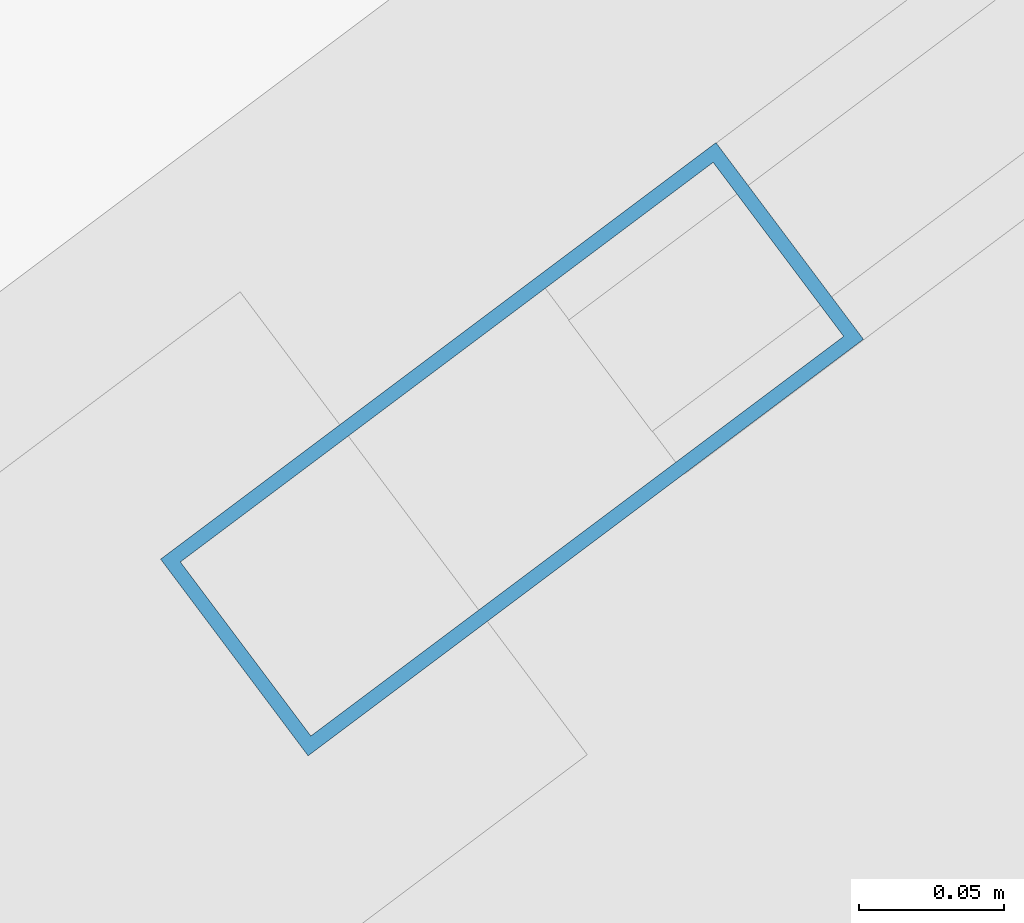
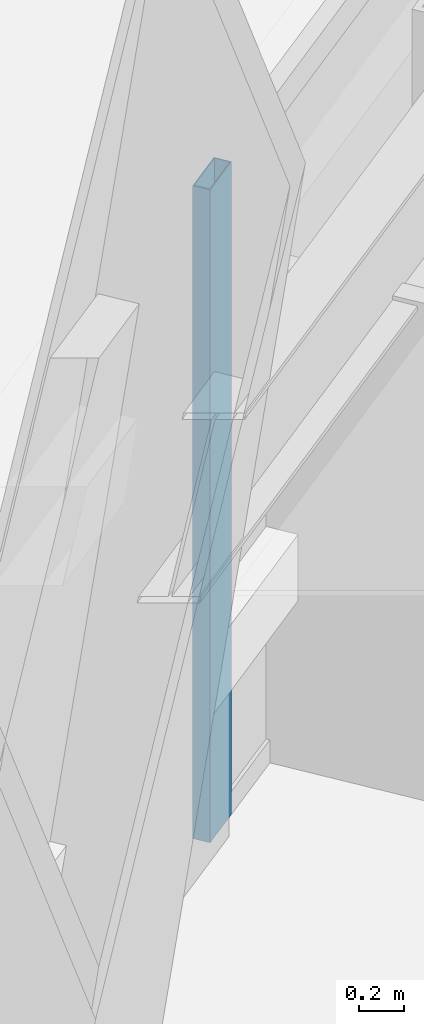
# One storey, part 53 of 83: 1 member, 1 element without a shape of its own.
"""IFC4 building model written with IfcOpenShell, lengths in metres."""

from ifc_helpers import new_model, si_unit, direction, frame, origin, origin_2d, place, context, subcontext, project, spatial, hollow_rectangle, extrude, material, material_profile, profile_set, type_object, element, aggregate, save


model = new_model("IFC4")

# Units and contexts
model_context = context("Model", 3, precision=1e-05, world=origin(), true_north=direction((0.0, 1.0)))
body_context = subcontext(model_context, "Body", "Model", "MODEL_VIEW")
ifc_project = project(units=[si_unit("LENGTHUNIT", "METRE"), si_unit("AREAUNIT", "SQUARE_METRE"), si_unit("VOLUMEUNIT", "CUBIC_METRE"), si_unit("PLANEANGLEUNIT", "RADIAN"), si_unit("MASSUNIT", "GRAM", prefix="KILO")], contexts=[model_context])

# Site, building, storey
site_placement = place(None, origin())
site = spatial("IfcSite", under=ifc_project, at=site_placement, CompositionType="ELEMENT")
building_placement = place(site_placement, origin())
building = spatial("IfcBuilding", under=site, at=building_placement, Name="Tashvorn Skyway Center", CompositionType="ELEMENT")
storey_placement = place(building_placement, frame((0.0, 0.0, 24.60009765625)))
storey = spatial("IfcBuildingStorey", under=building, at=storey_placement, Name="L05", CompositionType="ELEMENT", Elevation=24.60009765625)

# Curtain wall, member
ifc_material = material(Name="Thermally broken bronze-anodized aluminium 6063-T6", Category="aluminium")
curtain_wall_type = type_object("IfcCurtainWallType", Name="CW-CW-Z1", PredefinedType="NOTDEFINED", material=ifc_material)
curtain_wall_placement = place(storey_placement, origin())
curtain_wall = element("IfcCurtainWall", 1, at=curtain_wall_placement, inside=storey, type_object=curtain_wall_type, Name="Tower 2 L05 North Unitised Curtain Wall Glazing Group 3", PredefinedType="NOTDEFINED")
ifc_material_profile = material_profile(ifc_material, hollow_rectangle(XDim=0.0849609375, YDim=0.239990234375, WallThickness=0.0048828125, at=origin_2d()), Name="ALU-MULL-85x240")
ifc_profile_set = profile_set([ifc_material_profile], Name="Thermally broken bronze-anodized aluminium 6063-T6")
member_type = type_object("IfcMemberType", Name="CWM-CW-Z1", PredefinedType="MULLION", material=ifc_profile_set)
member_placement = place(storey_placement, frame((103.543212890625, 51.257568359375, 0.0), z_axis=(0.0, 0.0, 1.0), x_axis=(-0.599997457641, 0.800001906763, 0.0)))
member = element("IfcMember", 2, at=member_placement, type_object=member_type, Name="CW-Z1 mullion 1", PredefinedType="MULLION", context=body_context, shape_type="SweptSolid", body=[
    extrude(hollow_rectangle(XDim=0.0849609375, YDim=0.239990234375, WallThickness=0.0048828125, at=origin_2d()), origin(), (0.0, 0.0, 1.0), 3.5498046875),
])
aggregate(curtain_wall, [member])

save(model, "model.ifc")
